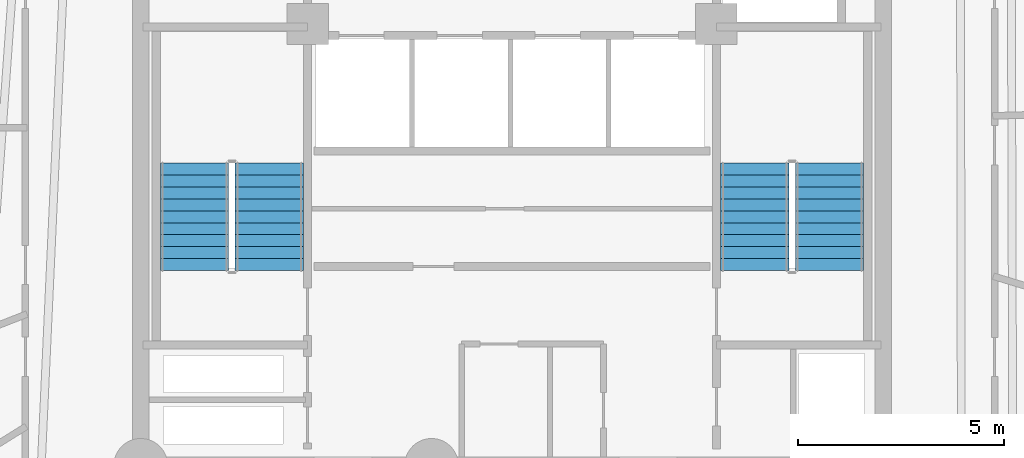
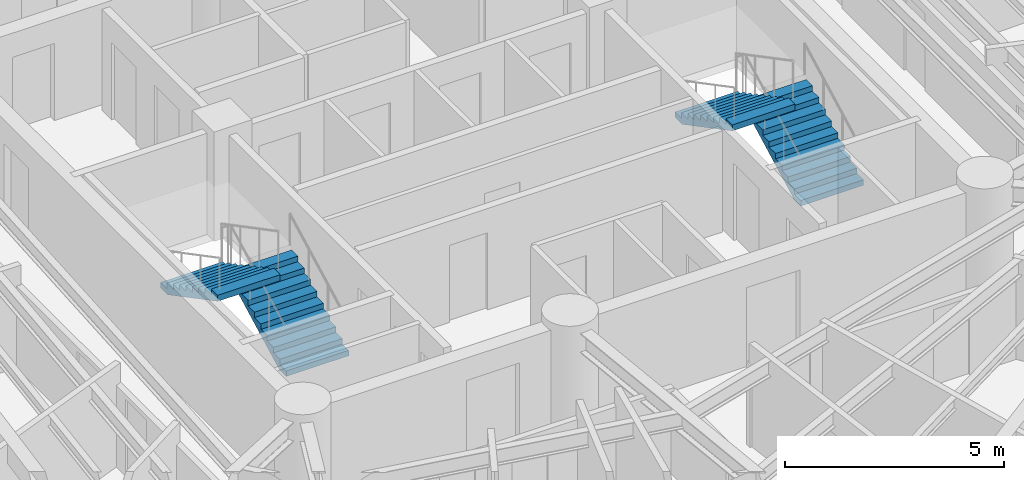
# One storey, part 7 of 9: 4 stair flights, 2 elements without a shape of their own.
"""IFC4 building model written with IfcOpenShell, lengths in metres."""

from ifc_helpers import new_model, si_unit, direction, frame, origin, place, context, subcontext, project, spatial, polyline, outline, extrude, material, type_object, element, aggregate, save


model = new_model("IFC4")

# Units and contexts
model_context = context("Model", 3, precision=1e-05, world=origin(), true_north=direction((0.0, 1.0)))
body_context = subcontext(model_context, "Body", "Model", "MODEL_VIEW")
ifc_project = project(units=[si_unit("LENGTHUNIT", "METRE"), si_unit("AREAUNIT", "SQUARE_METRE"), si_unit("VOLUMEUNIT", "CUBIC_METRE"), si_unit("PLANEANGLEUNIT", "RADIAN"), si_unit("MASSUNIT", "GRAM", prefix="KILO")], contexts=[model_context])

# Site, building, storey
site_placement = place(None, origin())
site = spatial("IfcSite", under=ifc_project, at=site_placement, CompositionType="ELEMENT")
building_placement = place(site_placement, origin())
building = spatial("IfcBuilding", under=site, at=building_placement, Name="Karkom Vertical University and Central Library", CompositionType="ELEMENT")
storey_placement = place(building_placement, frame((0.0, 0.0, 156.550048828125)))
storey = spatial("IfcBuildingStorey", under=building, at=storey_placement, Name="L44", CompositionType="ELEMENT", Elevation=156.550048828125)

# Stair, stair flights
ifc_material = material(Name="Concrete C45/55", Category="concrete")
stair_type = type_object("IfcStairType", Name="INT-STR-ST-MAIN", PredefinedType="HALF_TURN_STAIR", material=ifc_material)
stair_1_placement = place(storey_placement, origin())
stair_1 = element("IfcStair", 1, at=stair_1_placement, inside=storey, type_object=stair_type, Name="Level 44 Tower Protected Exit Stair ST-1", PredefinedType="HALF_TURN_STAIR")
stair_flight_type = type_object("IfcStairFlightType", Name="INT-SFL-ST-MAIN", PredefinedType="STRAIGHT", material=ifc_material)
stair_flight_1_placement = place(storey_placement, frame((22.614990234375, 23.02001953125, 0.0), z_axis=(0.0, 0.0, 1.0), x_axis=(0.0, 1.0, 0.0)))
stair_flight_1 = element("IfcStairFlight", 2, at=stair_flight_1_placement, type_object=stair_flight_type, Name="ST-1 flight 1", NumberOfRisers=10, NumberOfTreads=9, PredefinedType="STRAIGHT", RiserHeight=0.1525, TreadLength=0.29, context=body_context, shape_type="SweptSolid", body=[
    extrude(outline(polyline([(0.0, 0.0), (0.0, 0.152587890625), (0.2900390625, 0.152587890625), (0.2900390625, 0.304931640625), (0.580078125, 0.304931640625), (0.580078125, 0.45751953125), (0.8701171875, 0.45751953125), (0.8701171875, 0.610107421875), (1.159912109375, 0.610107421875), (1.159912109375, 0.762451171875), (1.449951171875, 0.762451171875), (1.449951171875, 0.9150390625), (1.739990234375, 0.9150390625), (1.739990234375, 1.0673828125), (2.030029296875, 1.0673828125), (2.030029296875, 1.219970703125), (2.320068359375, 1.219970703125), (2.320068359375, 1.37255859375), (2.610107421875, 1.37255859375), (2.610107421875, 1.52490234375), (2.610107421875, 1.203125), (0.322021484375, 0.0), (0.0, 0.0)])), frame((0.0, 0.824951171875, 0.0), z_axis=(0.0, -1.0, 0.0), x_axis=(1.0, 0.0, 0.0)), (0.0, 0.0, 1.0), 1.64990234375),
])
stair_flight_2_placement = place(storey_placement, frame((20.804931640625, 25.6298828125, 1.52490234375), z_axis=(0.0, 0.0, 1.0), x_axis=(0.0, -1.0, 0.0)))
stair_flight_2 = element("IfcStairFlight", 3, at=stair_flight_2_placement, type_object=stair_flight_type, Name="ST-1 flight 2", NumberOfRisers=10, NumberOfTreads=9, PredefinedType="STRAIGHT", RiserHeight=0.1525, TreadLength=0.29, context=body_context, shape_type="SweptSolid", body=[
    extrude(outline(polyline([(0.0, 0.0), (0.0, 0.152587890625), (0.2900390625, 0.152587890625), (0.2900390625, 0.304931640625), (0.580078125, 0.304931640625), (0.580078125, 0.45751953125), (0.8701171875, 0.45751953125), (0.8701171875, 0.610107421875), (1.159912109375, 0.610107421875), (1.159912109375, 0.762451171875), (1.449951171875, 0.762451171875), (1.449951171875, 0.9150390625), (1.739990234375, 0.9150390625), (1.739990234375, 1.0673828125), (2.030029296875, 1.0673828125), (2.030029296875, 1.219970703125), (2.320068359375, 1.219970703125), (2.320068359375, 1.37255859375), (2.610107421875, 1.37255859375), (2.610107421875, 1.52490234375), (2.610107421875, 1.203125), (0.322021484375, 0.0), (0.0, 0.0)])), frame((0.0, 0.824951171875, 0.0), z_axis=(0.0, -1.0, 0.0), x_axis=(1.0, 0.0, 0.0)), (0.0, 0.0, 1.0), 1.64990234375),
])
aggregate(stair_1, [stair_flight_1, stair_flight_2])

stair_2_placement = place(storey_placement, origin())
stair_2 = element("IfcStair", 4, at=stair_2_placement, inside=storey, type_object=stair_type, Name="Level 44 Tower Protected Exit Stair ST-2", PredefinedType="HALF_TURN_STAIR")
stair_flight_3_placement = place(storey_placement, frame((36.195068359375, 23.02001953125, 0.0), z_axis=(0.0, 0.0, 1.0), x_axis=(0.0, 1.0, 0.0)))
stair_flight_3 = element("IfcStairFlight", 5, at=stair_flight_3_placement, type_object=stair_flight_type, Name="ST-2 flight 1", NumberOfRisers=10, NumberOfTreads=9, PredefinedType="STRAIGHT", RiserHeight=0.1525, TreadLength=0.29, context=body_context, shape_type="SweptSolid", body=[
    extrude(outline(polyline([(0.0, 0.0), (0.0, 0.152587890625), (0.2900390625, 0.152587890625), (0.2900390625, 0.304931640625), (0.580078125, 0.304931640625), (0.580078125, 0.45751953125), (0.8701171875, 0.45751953125), (0.8701171875, 0.610107421875), (1.159912109375, 0.610107421875), (1.159912109375, 0.762451171875), (1.449951171875, 0.762451171875), (1.449951171875, 0.9150390625), (1.739990234375, 0.9150390625), (1.739990234375, 1.0673828125), (2.030029296875, 1.0673828125), (2.030029296875, 1.219970703125), (2.320068359375, 1.219970703125), (2.320068359375, 1.37255859375), (2.610107421875, 1.37255859375), (2.610107421875, 1.52490234375), (2.610107421875, 1.203125), (0.322021484375, 0.0), (0.0, 0.0)])), frame((0.0, 0.824951171875, 0.0), z_axis=(0.0, -1.0, 0.0), x_axis=(1.0, 0.0, 0.0)), (0.0, 0.0, 1.0), 1.64990234375),
])
stair_flight_4_placement = place(storey_placement, frame((34.385009765625, 25.6298828125, 1.52490234375), z_axis=(0.0, 0.0, 1.0), x_axis=(0.0, -1.0, 0.0)))
stair_flight_4 = element("IfcStairFlight", 6, at=stair_flight_4_placement, type_object=stair_flight_type, Name="ST-2 flight 2", NumberOfRisers=10, NumberOfTreads=9, PredefinedType="STRAIGHT", RiserHeight=0.1525, TreadLength=0.29, context=body_context, shape_type="SweptSolid", body=[
    extrude(outline(polyline([(0.0, 0.0), (0.0, 0.152587890625), (0.2900390625, 0.152587890625), (0.2900390625, 0.304931640625), (0.580078125, 0.304931640625), (0.580078125, 0.45751953125), (0.8701171875, 0.45751953125), (0.8701171875, 0.610107421875), (1.159912109375, 0.610107421875), (1.159912109375, 0.762451171875), (1.449951171875, 0.762451171875), (1.449951171875, 0.9150390625), (1.739990234375, 0.9150390625), (1.739990234375, 1.0673828125), (2.030029296875, 1.0673828125), (2.030029296875, 1.219970703125), (2.320068359375, 1.219970703125), (2.320068359375, 1.37255859375), (2.610107421875, 1.37255859375), (2.610107421875, 1.52490234375), (2.610107421875, 1.203125), (0.322021484375, 0.0), (0.0, 0.0)])), frame((0.0, 0.824951171875, 0.0), z_axis=(0.0, -1.0, 0.0), x_axis=(1.0, 0.0, 0.0)), (0.0, 0.0, 1.0), 1.64990234375),
])
aggregate(stair_2, [stair_flight_3, stair_flight_4])

save(model, "model.ifc")
